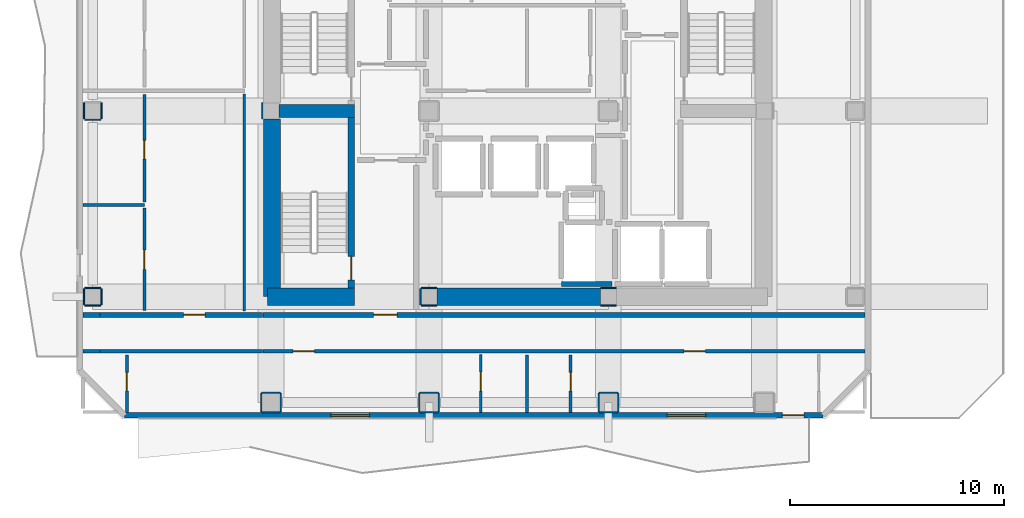
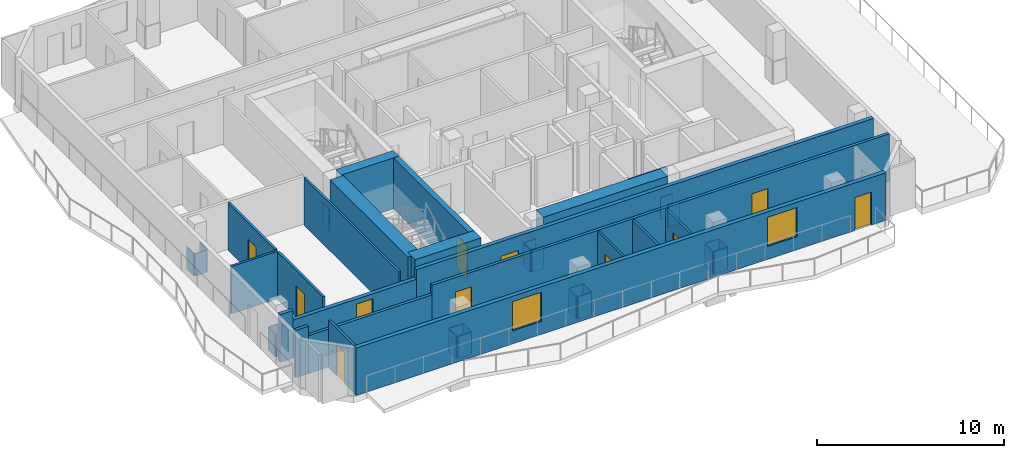
# One storey, part 2 of 10: 46 walls, 11 doors, 2 windows, 13 openings.
"""IFC4 building model written with IfcOpenShell, lengths in metres."""

import ifcopenshell
import ifcopenshell.guid

model = None  # the IFC model being written
_history = None  # IfcOwnerHistory: only IFC2X3 demands one
_inside = {}  # id of a spatial element -> (the spatial element, [elements in it])
_under = {}  # id of a project, library or spatial element -> (it, [spatial elements below it])
_declared = {}  # id of a project -> (the project, [libraries it declares])
_typed = {}  # id of a type object -> (the type object, [elements of that type])
_made_of = {}  # id of a material, layer set ... -> (it, [elements and type objects made of it])


def new_model(schema):
    """Start an empty IFC model of exactly this schema.

    Asked for "IFC4X3", IfcOpenShell would pick the latest addendum, in which some entities
    have other attributes; the version numbers below select the first issue.
    IFC2X3 requires an IfcOwnerHistory on every rooted entity: one is made here for all.
    """
    global model, _history
    if schema == "IFC4X3":
        model = ifcopenshell.file(schema_version=(4, 3, 0, 0))
    else:
        model = ifcopenshell.file(schema=schema)
    _inside.clear()
    _under.clear()
    _declared.clear()
    _typed.clear()
    _made_of.clear()
    _history = None
    if model.schema == "IFC2X3":
        org = make("IfcOrganization", Name="unknown")
        user = make(
            "IfcPersonAndOrganization",
            ThePerson=make("IfcPerson", FamilyName="unknown"),
            TheOrganization=org,
        )
        app = make(
            "IfcApplication",
            ApplicationDeveloper=org,
            Version="unknown",
            ApplicationFullName="unknown",
            ApplicationIdentifier="unknown",
        )
        _history = make(
            "IfcOwnerHistory",
            OwningUser=user,
            OwningApplication=app,
            ChangeAction="ADDED",
            CreationDate=0,
        )
    return model


def make(cls, **values):
    """One entity of the class cls with the attributes given. An attribute that is None is left unset."""
    return model.create_entity(
        cls, **{name: value for name, value in values.items() if value is not None}
    )


def rooted(cls, **values):
    """An entity with a GlobalId (a new one), such as an element, a storey or a relation."""
    return make(cls, GlobalId=ifcopenshell.guid.new(), OwnerHistory=_history, **values)


def si_unit(unit_type, name, prefix=None):
    """IfcSIUnit, for example si_unit("LENGTHUNIT", "METRE", prefix="MILLI")."""
    return make("IfcSIUnit", UnitType=unit_type, Prefix=prefix, Name=name)


def assignment(units):
    """IfcUnitAssignment: the units of a project."""
    return None if units is None else make("IfcUnitAssignment", Units=units)


def point(xyz):
    """IfcCartesianPoint."""
    return None if xyz is None else make("IfcCartesianPoint", Coordinates=xyz)


def direction(xyz):
    """IfcDirection."""
    return None if xyz is None else make("IfcDirection", DirectionRatios=xyz)


def frame(location, z_axis=None, x_axis=None):
    """IfcAxis2Placement3D, a coordinate frame: its origin and axes. An axis left out is left unset."""
    return make(
        "IfcAxis2Placement3D",
        Location=point(location),
        Axis=direction(z_axis),
        RefDirection=direction(x_axis),
    )


def frame_2d(location, x_axis=None):
    """IfcAxis2Placement2D, a coordinate frame in the plane: its origin and x axis."""
    return make(
        "IfcAxis2Placement2D", Location=point(location), RefDirection=direction(x_axis)
    )


def origin():
    """The frame at (0, 0, 0) with its axes left unset."""
    return frame((0.0, 0.0, 0.0))


def place(relative_to, where):
    """IfcLocalPlacement: puts the frame where relative to a parent placement (None: the world)."""
    return make(
        "IfcLocalPlacement", PlacementRelTo=relative_to, RelativePlacement=where
    )


def context(
    kind, dimensions, precision=None, world=None, true_north=None, identifier=None
):
    """IfcGeometricRepresentationContext, for example the 3D "Model" context."""
    return make(
        "IfcGeometricRepresentationContext",
        ContextIdentifier=identifier,
        ContextType=kind,
        CoordinateSpaceDimension=dimensions,
        Precision=precision,
        WorldCoordinateSystem=world,
        TrueNorth=true_north,
    )


def subcontext(parent, identifier, kind, view, scale=None):
    """IfcGeometricRepresentationSubContext, for example "Body" below "Model"."""
    return make(
        "IfcGeometricRepresentationSubContext",
        ContextIdentifier=identifier,
        ContextType=kind,
        ParentContext=parent,
        TargetScale=scale,
        TargetView=view,
    )


def project(units=None, contexts=None):
    """IfcProject with its units and contexts."""
    return rooted(
        "IfcProject",
        Name="project",
        RepresentationContexts=contexts,
        UnitsInContext=assignment(units),
    )


def spatial(cls, under=None, at=None, **own):
    """A site, building, storey or space (cls), placed at a placement, below another one or the project."""
    s = rooted(cls, ObjectPlacement=at, **own)
    if under is not None:
        _under.setdefault(under.id(), (under, []))[1].append(s)
    return s


def profile(cls, at=None, kind="AREA", **sizes):
    """A parametric profile (cls). Its sizes go by their IFC names, for example OverallWidth=200.0."""
    return make(cls, ProfileType=kind, Position=at, **sizes)


def rectangle(**sizes):
    """IfcRectangleProfileDef."""
    return profile("IfcRectangleProfileDef", **sizes)


def extrude(swept, where, along, depth):
    """IfcExtrudedAreaSolid: the profile swept, set in the frame where, extruded along a direction by depth."""
    return make(
        "IfcExtrudedAreaSolid",
        SweptArea=swept,
        Position=where,
        ExtrudedDirection=direction(along),
        Depth=depth,
    )


def shape(context_of_items, identifier, shape_type, items):
    """IfcShapeRepresentation: the items that make up one representation, for example the "Body"."""
    return make(
        "IfcShapeRepresentation",
        ContextOfItems=context_of_items,
        RepresentationIdentifier=identifier,
        RepresentationType=shape_type,
        Items=items,
    )


def material(Name=None, Category=None):
    """IfcMaterial."""
    return make("IfcMaterial", Name=Name, Category=Category)


def layer(
    of_material, thickness, ventilated=None, Name=None, Category=None, Priority=None
):
    """IfcMaterialLayer: one layer of a wall or slab, of a material (None: an air gap)."""
    return make(
        "IfcMaterialLayer",
        Material=of_material,
        LayerThickness=thickness,
        IsVentilated=ventilated,
        Name=Name,
        Category=Category,
        Priority=Priority,
    )


def layer_set(layers, Name=None):
    """IfcMaterialLayerSet."""
    return make("IfcMaterialLayerSet", MaterialLayers=layers, LayerSetName=Name)


def made_of(thing, what):
    """Note that an element or type object is made of a material, layer set ...; save() writes the relation."""
    if what is not None:
        _made_of.setdefault(what.id(), (what, []))[1].append(thing)
    return thing


def type_object(cls, material=None, **own):
    """A type object (cls), such as IfcWallType, which elements share."""
    return made_of(rooted(cls, **own), material)


def element(
    cls,
    number,
    at=None,
    inside=None,
    cuts=None,
    type_object=None,
    material=None,
    context=None,
    identifier="Body",
    shape_type=None,
    held_by="IfcProductDefinitionShape",
    body=None,
    shapes=None,
    **own,
):
    """One element of the class cls, such as IfcWall. Its Tag is "e" and its number.

    at: its placement. inside: the storey or other place that contains it. cuts: it is an
    opening in that element (IfcRelVoidsElement). A single representation is given by context,
    identifier, shape_type and body (its items); several are given by shapes. held_by: the class
    of the entity that holds the representations. save() writes the other relations.
    """
    e = rooted(cls, Tag="e%d" % number, ObjectPlacement=at, **own)
    if body is not None:
        shapes = [shape(context, identifier, shape_type, body)]
    if shapes is not None:
        e.Representation = make(held_by, Representations=shapes)
    if inside is not None:
        _inside.setdefault(inside.id(), (inside, []))[1].append(e)
    if cuts is not None:
        rooted(
            "IfcRelVoidsElement", RelatingBuildingElement=cuts, RelatedOpeningElement=e
        )
    if type_object is not None:
        _typed.setdefault(type_object.id(), (type_object, []))[1].append(e)
    return made_of(e, material)


def fill(opening, filler):
    """IfcRelFillsElement: the door or window that sits in an opening."""
    return rooted(
        "IfcRelFillsElement",
        RelatingOpeningElement=opening,
        RelatedBuildingElement=filler,
    )


def aggregate(whole, parts):
    """IfcRelAggregates: a whole, such as a stair, and the parts it consists of."""
    return rooted("IfcRelAggregates", RelatingObject=whole, RelatedObjects=parts)


def save(model, path):
    """Write the relations noted so far, then the file.

    IfcRelAggregates (storeys below a building ...), IfcRelContainedInSpatialStructure (elements
    in a storey), IfcRelDefinesByType, IfcRelAssociatesMaterial and IfcRelDeclares: one each for
    every whole, place, type object, material and project.
    """
    for whole, parts in _under.values():
        aggregate(whole, parts)
    for where, things in _inside.values():
        rooted(
            "IfcRelContainedInSpatialStructure",
            RelatedElements=things,
            RelatingStructure=where,
        )
    for kind, things in _typed.values():
        rooted("IfcRelDefinesByType", RelatedObjects=things, RelatingType=kind)
    for what, things in _made_of.values():
        rooted("IfcRelAssociatesMaterial", RelatedObjects=things, RelatingMaterial=what)
    for by, libraries in _declared.values():
        rooted("IfcRelDeclares", RelatingContext=by, RelatedDefinitions=libraries)
    model.write(path)


model = new_model("IFC4")

# Units and contexts
model_context = context("Model", 3, precision=1e-05, world=origin(), true_north=direction((0.0, 1.0)))
body_context = subcontext(model_context, "Body", "Model", "MODEL_VIEW")
ifc_project = project(units=[si_unit("LENGTHUNIT", "METRE"), si_unit("AREAUNIT", "SQUARE_METRE"), si_unit("VOLUMEUNIT", "CUBIC_METRE"), si_unit("PLANEANGLEUNIT", "RADIAN"), si_unit("MASSUNIT", "GRAM", prefix="KILO")], contexts=[model_context])

# Site, building, storey
site_placement = place(None, origin())
site = spatial("IfcSite", under=ifc_project, at=site_placement, CompositionType="ELEMENT")
building_placement = place(site_placement, origin())
building = spatial("IfcBuilding", under=site, at=building_placement, Name="Solanera Arch Residences", CompositionType="ELEMENT")
storey_placement = place(building_placement, frame((0.0, 0.0, 251.199951171875)))
storey = spatial("IfcBuildingStorey", under=building, at=storey_placement, Name="L73", CompositionType="ELEMENT", Elevation=251.199951171875)

# Walls
ifc_material_1 = material(Name="Fire-Rated Gypsum Stud Partition", Category="gypsum")
ifc_layer_1 = layer(ifc_material_1, 0.06005859375)
ifc_layer_set_1 = layer_set([ifc_layer_1], Name="Fire-Rated Gypsum Stud Partition")
wall_type_1 = type_object("IfcWallType", Name="Column Acoustic Furring Wall 60", PredefinedType="PARTITIONING", material=ifc_layer_set_1)
for number, where, z_axis, x_axis, name in (
    (1, (20.425048828125, 21.593017578125, 0.0), (0.0, 0.0, 1.0), (1.0, 0.0, 0.0), "L73 Column Furring 1S"),
    (2, (20.425048828125, 22.406982421875, 0.0), (0.0, 0.0, 1.0), (1.0, 0.0, 0.0), "L73 Column Furring 1N"),
):
    element("IfcWall", number, at=place(storey_placement, frame(where, z_axis=z_axis, x_axis=x_axis)), inside=storey, type_object=wall_type_1, Name=name, PredefinedType="PARTITIONING", context=body_context, shape_type="SweptSolid", body=[
        extrude(rectangle(XDim=0.741943359375, YDim=0.06005859375, at=frame_2d((0.37109375, 0.0))), origin(), (0.0, 0.0, 1.0), 1.449951171875),
    ])
wall_1_placement = place(storey_placement, frame((20.39306640625, 21.625, 0.0), z_axis=(0.0, 0.0, 1.0), x_axis=(0.0, 1.0, 0.0)))
element("IfcWall", 3, at=wall_1_placement, inside=storey, type_object=wall_type_1, Name="L73 Column Furring 1W", PredefinedType="PARTITIONING", context=body_context, shape_type="SweptSolid", body=[
    extrude(rectangle(XDim=0.75, YDim=0.06005859375, at=frame_2d((0.375, 0.0))), origin(), (0.0, 0.0, 1.0), 1.449951171875),
])
for number, where, z_axis, x_axis, name in (
    (4, (28.8330078125, 21.593017578125, 0.0), (0.0, 0.0, 1.0), (1.0, 0.0, 0.0), "L73 Column Furring 2S"),
    (5, (28.8330078125, 22.406982421875, 0.0), (0.0, 0.0, 1.0), (1.0, 0.0, 0.0), "L73 Column Furring 2N"),
):
    element("IfcWall", number, at=place(storey_placement, frame(where, z_axis=z_axis, x_axis=x_axis)), inside=storey, type_object=wall_type_1, Name=name, PredefinedType="PARTITIONING", context=body_context, shape_type="SweptSolid", body=[
        extrude(rectangle(XDim=0.73388671875, YDim=0.06005859375, at=frame_2d((0.366943359375, 0.0))), origin(), (0.0, 0.0, 1.0), 1.449951171875),
    ])
wall_2_placement = place(storey_placement, frame((12.992919921875, 30.324951171875, 0.0), z_axis=(0.0, 0.0, 1.0), x_axis=(0.0, 1.0, 0.0)))
element("IfcWall", 6, at=wall_2_placement, inside=storey, type_object=wall_type_1, Name="L73 Column Furring 5W", PredefinedType="PARTITIONING", context=body_context, shape_type="SweptSolid", body=[
    extrude(rectangle(XDim=0.75, YDim=0.06005859375, at=frame_2d((0.375, 0.0))), origin(), (0.0, 0.0, 1.0), 1.449951171875),
])
for number, where, z_axis, x_axis, name in (
    (7, (12.97509765625, 16.593017578125, 0.0), (0.0, 0.0, 1.0), (1.0, 0.0, 0.0), "L73 Column Furring 9S"),
    (8, (12.97509765625, 17.507080078125, 0.0), (0.0, 0.0, 1.0), (1.0, 0.0, 0.0), "L73 Column Furring 9N"),
):
    element("IfcWall", number, at=place(storey_placement, frame(where, z_axis=z_axis, x_axis=x_axis)), inside=storey, type_object=wall_type_1, Name=name, PredefinedType="PARTITIONING", context=body_context, shape_type="SweptSolid", body=[
        extrude(rectangle(XDim=0.849853515625, YDim=0.06005859375, at=frame_2d((0.4248046875, 0.0))), origin(), (0.0, 0.0, 1.0), 1.449951171875),
    ])
for number, where, z_axis, x_axis, name in (
    (9, (12.943115234375, 16.625, 0.0), (0.0, 0.0, 1.0), (0.0, 1.0, 0.0), "L73 Column Furring 9W"),
    (10, (13.85693359375, 16.625, 0.0), (0.0, 0.0, 1.0), (0.0, 1.0, 0.0), "L73 Column Furring 9E"),
    (11, (20.375, 16.593017578125, 0.0), (0.0, 0.0, 1.0), (1.0, 0.0, 0.0), "L73 Column Furring 11S"),
    (12, (20.375, 17.507080078125, 0.0), (0.0, 0.0, 1.0), (1.0, 0.0, 0.0), "L73 Column Furring 11N"),
    (13, (20.343017578125, 16.625, 0.0), (0.0, 0.0, 1.0), (0.0, 1.0, 0.0), "L73 Column Furring 11W"),
    (14, (21.257080078125, 16.625, 0.0), (0.0, 0.0, 1.0), (0.0, 1.0, 0.0), "L73 Column Furring 11E"),
    (15, (28.77490234375, 16.593017578125, 0.0), (0.0, 0.0, 1.0), (1.0, 0.0, 0.0), "L73 Column Furring 13S"),
    (16, (28.77490234375, 17.507080078125, 0.0), (0.0, 0.0, 1.0), (1.0, 0.0, 0.0), "L73 Column Furring 13N"),
    (17, (28.742919921875, 16.625, 0.0), (0.0, 0.0, 1.0), (0.0, 1.0, 0.0), "L73 Column Furring 13W"),
    (18, (29.656982421875, 16.625, 0.0), (0.0, 0.0, 1.0), (0.0, 1.0, 0.0), "L73 Column Furring 13E"),
):
    element("IfcWall", number, at=place(storey_placement, frame(where, z_axis=z_axis, x_axis=x_axis)), inside=storey, type_object=wall_type_1, Name=name, PredefinedType="PARTITIONING", context=body_context, shape_type="SweptSolid", body=[
        extrude(rectangle(XDim=0.85009765625, YDim=0.06005859375, at=frame_2d((0.425048828125, 0.0))), origin(), (0.0, 0.0, 1.0), 1.449951171875),
    ])
for number, where, z_axis, x_axis, name in (
    (19, (4.675048828125, 21.593017578125, 0.0), (0.0, 0.0, 1.0), (1.0, 0.0, 0.0), "L73 Column Furring 17S"),
    (20, (4.675048828125, 22.406982421875, 0.0), (0.0, 0.0, 1.0), (1.0, 0.0, 0.0), "L73 Column Furring 17N"),
    (21, (4.64306640625, 21.625, 0.0), (0.0, 0.0, 1.0), (0.0, 1.0, 0.0), "L73 Column Furring 17W"),
    (22, (5.45703125, 21.625, 0.0), (0.0, 0.0, 1.0), (0.0, 1.0, 0.0), "L73 Column Furring 17E"),
    (23, (4.675048828125, 30.29296875, 0.0), (0.0, 0.0, 1.0), (1.0, 0.0, 0.0), "L73 Column Furring 19S"),
    (24, (4.64306640625, 30.324951171875, 0.0), (0.0, 0.0, 1.0), (0.0, 1.0, 0.0), "L73 Column Furring 19W"),
    (25, (5.45703125, 30.324951171875, 0.0), (0.0, 0.0, 1.0), (0.0, 1.0, 0.0), "L73 Column Furring 19E"),
):
    element("IfcWall", number, at=place(storey_placement, frame(where, z_axis=z_axis, x_axis=x_axis)), inside=storey, type_object=wall_type_1, Name=name, PredefinedType="PARTITIONING", context=body_context, shape_type="SweptSolid", body=[
        extrude(rectangle(XDim=0.75, YDim=0.06005859375, at=frame_2d((0.375, 0.0))), origin(), (0.0, 0.0, 1.0), 1.449951171875),
    ])

# Wall, opening, door
ifc_material_2 = material(Name="Concrete C40/50 (f'c = 45 MPa)", Category="concrete")
ifc_layer_2 = layer(ifc_material_2, 0.320068359375)
ifc_layer_set_2 = layer_set([ifc_layer_2], Name="Concrete C40/50 (f'c = 45 MPa)")
wall_type_2 = type_object("IfcWallType", Name="Core Shear Wall CW-320", PredefinedType="SHEAR", material=ifc_layer_set_2)
wall_3_placement = place(storey_placement, frame((17.159912109375, 22.39990234375, 0.0), z_axis=(0.0, 0.0, 1.0), x_axis=(0.0, 1.0, 0.0)))
wall_3 = element("IfcWall", 26, at=wall_3_placement, inside=storey, type_object=wall_type_2, Name="L73 Stair ST-T3 East Shear Wall", PredefinedType="SHEAR", context=body_context, shape_type="SweptSolid", body=[
    extrude(rectangle(XDim=8.0, YDim=0.320068359375, at=frame_2d((4.0, 0.0))), origin(), (0.0, 0.0, 1.0), 3.320068359375),
])
opening_1_placement = place(wall_3_placement, frame((0.389892578125, 0.0, 0.0)))
opening_1 = element("IfcOpeningElement", 27, at=opening_1_placement, cuts=wall_3, Name="Opening DF-01", PredefinedType="OPENING", context=body_context, shape_type="SweptSolid", body=[
    extrude(rectangle(XDim=1.10009765625, YDim=2.14990234375, at=frame_2d((0.550048828125, 1.074951171875))), frame((0.0, 0.169921875, 0.0), z_axis=(0.0, -1.0, 0.0), x_axis=(1.0, 0.0, 0.0)), (0.0, 0.0, 1.0), 0.3401),
])
ifc_material_3 = material(Name="Fire-Rated Architectural Hardwood", Category="wood")
door_type_1 = type_object("IfcDoorType", Name="Stair Exit Fire Door DF-01", OperationType="NOTDEFINED", PredefinedType="DOOR", material=ifc_material_3)
door_1_placement = place(opening_1_placement, origin())
door_1 = element("IfcDoor", 28, at=door_1_placement, inside=storey, type_object=door_type_1, Name="DR-L73-STAIR-ST-T3", OperationType="SINGLE_SWING_LEFT", OverallHeight=2.14990234375, OverallWidth=1.10009765625, PredefinedType="DOOR", context=body_context, shape_type="SweptSolid", body=[
    extrude(rectangle(XDim=1.10009765625, YDim=2.14990234375, at=frame_2d((0.550048828125, 1.074951171875))), frame((0.0, 0.02490234375, 0.0), z_axis=(0.0, -1.0, 0.0), x_axis=(1.0, 0.0, 0.0)), (0.0, 0.0, 1.0), 0.050048828125),
])
fill(opening_1, door_1)

# Walls
ifc_material_4 = material(Name="Concrete C40/50 (f'c = 45 MPa)", Category="concrete")
ifc_layer_3 = layer(ifc_material_4, 0.60009765625)
ifc_layer_set_3 = layer_set([ifc_layer_3], Name="Concrete C40/50 (f'c = 45 MPa)")
wall_type_3 = type_object("IfcWallType", Name="Core Shear Wall CW-600", PredefinedType="SHEAR", material=ifc_layer_set_3)
wall_4_placement = place(storey_placement, frame((13.780029296875, 30.699951171875, 0.0), z_axis=(0.0, 0.0, 1.0), x_axis=(1.0, 0.0, 0.0)))
element("IfcWall", 29, at=wall_4_placement, inside=storey, type_object=wall_type_3, Name="L73 West Stair Divider Shear Wall", PredefinedType="SHEAR", context=body_context, shape_type="SweptSolid", body=[
    extrude(rectangle(XDim=3.5400390625, YDim=0.60009765625, at=frame_2d((1.77001953125, 0.0))), origin(), (0.0, 0.0, 1.0), 3.320068359375),
])
ifc_material_5 = material(Name="Concrete C40/50 (f'c = 45 MPa)", Category="concrete")
ifc_layer_4 = layer(ifc_material_5, 0.800048828125)
ifc_layer_set_4 = layer_set([ifc_layer_4], Name="Concrete C40/50 (f'c = 45 MPa)")
wall_type_4 = type_object("IfcWallType", Name="Core Shear Wall CW-800", PredefinedType="SHEAR", material=ifc_layer_set_4)
wall_5_placement = place(storey_placement, frame((13.43994140625, 22.0, 0.0), z_axis=(0.0, 0.0, 1.0), x_axis=(0.0, 1.0, 0.0)))
element("IfcWall", 30, at=wall_5_placement, inside=storey, type_object=wall_type_4, Name="L73 West Core South Shear Wall", PredefinedType="SHEAR", context=body_context, shape_type="SweptSolid", body=[
    extrude(rectangle(XDim=8.320068359375, YDim=0.800048828125, at=frame_2d((4.16015625, 0.0))), origin(), (0.0, 0.0, 1.0), 3.320068359375),
])
wall_6_placement = place(storey_placement, frame((13.239990234375, 22.0, 0.0), z_axis=(0.0, 0.0, 1.0), x_axis=(1.0, 0.0, 0.0)))
element("IfcWall", 31, at=wall_6_placement, inside=storey, type_object=wall_type_4, Name="L73 South-West Core Shear Wall", PredefinedType="SHEAR", context=body_context, shape_type="SweptSolid", body=[
    extrude(rectangle(XDim=4.080078125, YDim=0.800048828125, at=frame_2d((2.0400390625, 0.0))), origin(), (0.0, 0.0, 1.0), 3.320068359375),
])
wall_7_placement = place(storey_placement, frame((21.179931640625, 22.0, 0.0), z_axis=(0.0, 0.0, 1.0), x_axis=(1.0, 0.0, 0.0)))
element("IfcWall", 32, at=wall_7_placement, inside=storey, type_object=wall_type_4, Name="L73 Central South Core Shear Wall", PredefinedType="SHEAR", context=body_context, shape_type="SweptSolid", body=[
    extrude(rectangle(XDim=7.64013671875, YDim=0.800048828125, at=frame_2d((3.820068359375, 0.0))), origin(), (0.0, 0.0, 1.0), 3.320068359375),
])
ifc_material_6 = material(Name="Autoclaved Aerated Concrete Blockwork", Category="masonry")
ifc_layer_5 = layer(ifc_material_6, 0.179931640625)
ifc_layer_set_5 = layer_set([ifc_layer_5], Name="Autoclaved Aerated Concrete Blockwork")
wall_type_5 = type_object("IfcWallType", Name="Corridor Fire Partition 180", PredefinedType="PARTITIONING", material=ifc_layer_set_5)
wall_8_placement = place(storey_placement, frame((4.5869140625, 19.449951171875, 0.0), z_axis=(0.0, 0.0, 1.0), x_axis=(1.0, 0.0, 0.0)))
element("IfcWall", 33, at=wall_8_placement, inside=storey, type_object=wall_type_5, Name="L73 Interior Partition H6 1", PredefinedType="PARTITIONING", context=body_context, shape_type="SweptSolid", body=[
    extrude(rectangle(XDim=0.801025390625, YDim=0.179931640625, at=frame_2d((0.400390625, 0.0))), origin(), (0.0, 0.0, 1.0), 3.10009765625),
])
wall_9_placement = place(storey_placement, frame((5.387939453125, 19.449951171875, 0.0), z_axis=(0.0, 0.0, 1.0), x_axis=(1.0, 0.0, 0.0)))
element("IfcWall", 34, at=wall_9_placement, inside=storey, type_object=wall_type_5, Name="L73 Interior Partition H6 2", PredefinedType="PARTITIONING", context=body_context, shape_type="SweptSolid", body=[
    extrude(rectangle(XDim=7.6240234375, YDim=0.179931640625, at=frame_2d((3.81201171875, 0.0))), origin(), (0.0, 0.0, 1.0), 2.47705078125),
])

# Wall, openings, doors
wall_10_placement = place(storey_placement, frame((13.011962890625, 19.449951171875, 0.0), z_axis=(0.0, 0.0, 1.0), x_axis=(1.0, 0.0, 0.0)))
wall_10 = element("IfcWall", 35, at=wall_10_placement, inside=storey, type_object=wall_type_5, Name="L73 Interior Partition H6 3", PredefinedType="PARTITIONING", context=body_context, shape_type="SweptSolid", body=[
    extrude(rectangle(XDim=28.200927734375, YDim=0.179931640625, at=frame_2d((14.1005859375, 0.0))), origin(), (0.0, 0.0, 1.0), 3.10009765625),
])
opening_2_placement = place(wall_10_placement, frame((1.427001953125, 0.0, 0.0)))
opening_2 = element("IfcOpeningElement", 36, at=opening_2_placement, cuts=wall_10, Name="Opening DI-01", PredefinedType="OPENING", context=body_context, shape_type="SweptSolid", body=[
    extrude(rectangle(XDim=1.0, YDim=2.14990234375, at=frame_2d((0.5, 1.074951171875))), frame((0.0, 0.10009765625, 0.0), z_axis=(0.0, -1.0, 0.0), x_axis=(1.0, 0.0, 0.0)), (0.0, 0.0, 1.0), 0.1999),
])
opening_3_placement = place(wall_10_placement, frame((19.72705078125, 0.0, 0.0)))
opening_3 = element("IfcOpeningElement", 37, at=opening_3_placement, cuts=wall_10, Name="Opening DI-01", PredefinedType="OPENING", context=body_context, shape_type="SweptSolid", body=[
    extrude(rectangle(XDim=1.0, YDim=2.14990234375, at=frame_2d((0.5, 1.074951171875))), frame((0.0, 0.10009765625, 0.0), z_axis=(0.0, -1.0, 0.0), x_axis=(1.0, 0.0, 0.0)), (0.0, 0.0, 1.0), 0.1999),
])
ifc_material_7 = material(Name="Fire-Rated Architectural Hardwood", Category="wood")
door_type_2 = type_object("IfcDoorType", Name="Unit Entrance Fire Door DI-01", OperationType="NOTDEFINED", PredefinedType="DOOR", material=ifc_material_7)
door_2_placement = place(opening_2_placement, origin())
door_2 = element("IfcDoor", 38, at=door_2_placement, inside=storey, type_object=door_type_2, Name="DR-L73-IN-014", OperationType="SINGLE_SWING_RIGHT", OverallHeight=2.14990234375, OverallWidth=1.0, PredefinedType="DOOR", context=body_context, shape_type="SweptSolid", body=[
    extrude(rectangle(XDim=1.0, YDim=2.14990234375, at=frame_2d((0.5, 1.074951171875))), frame((0.0, 0.02490234375, 0.0), z_axis=(0.0, -1.0, 0.0), x_axis=(1.0, 0.0, 0.0)), (0.0, 0.0, 1.0), 0.050048828125),
])
fill(opening_2, door_2)
door_3_placement = place(opening_3_placement, origin())
door_3 = element("IfcDoor", 39, at=door_3_placement, inside=storey, type_object=door_type_2, Name="DR-L73-IN-017", OperationType="SINGLE_SWING_LEFT", OverallHeight=2.14990234375, OverallWidth=1.0, PredefinedType="DOOR", context=body_context, shape_type="SweptSolid", body=[
    extrude(rectangle(XDim=1.0, YDim=2.14990234375, at=frame_2d((0.5, 1.074951171875))), frame((0.0, 0.02490234375, 0.0), z_axis=(0.0, -1.0, 0.0), x_axis=(1.0, 0.0, 0.0)), (0.0, 0.0, 1.0), 0.050048828125),
])
fill(opening_3, door_3)

# Wall, openings, door, windows
ifc_material_8 = material(Name="Precast Concrete C35/45", Category="concrete")
ifc_layer_6 = layer(ifc_material_8, 0.260009765625)
ifc_layer_set_6 = layer_set([ifc_layer_6], Name="Precast Concrete C35/45")
wall_type_6 = type_object("IfcWallType", Name="Exterior Wall Precast Masonry-Frame 260", PredefinedType="STANDARD", material=ifc_layer_set_6)
wall_11_placement = place(storey_placement, frame((39.2548828125, 16.445068359375, 0.0), z_axis=(0.0, 0.0, 1.0), x_axis=(-1.0, 0.0, 0.0)))
wall_11 = element("IfcWall", 40, at=wall_11_placement, inside=storey, type_object=wall_type_6, Name="L73 Tower Exterior Precast Masonry-Frame Wall S", PredefinedType="STANDARD", context=body_context, shape_type="SweptSolid", body=[
    extrude(rectangle(XDim=32.7099609375, YDim=0.260009765625, at=frame_2d((16.35498046875, 0.0))), origin(), (0.0, 0.0, 1.0), 3.10009765625),
])
opening_4_placement = place(wall_11_placement, frame((0.906982421875, 0.0, 0.0)))
opening_4 = element("IfcOpeningElement", 41, at=opening_4_placement, cuts=wall_11, Name="Opening DB-01", PredefinedType="OPENING", context=body_context, shape_type="SweptSolid", body=[
    extrude(rectangle(XDim=1.0, YDim=2.14990234375, at=frame_2d((0.5, 1.074951171875))), frame((0.0, 0.139892578125, 0.0), z_axis=(0.0, -1.0, 0.0), x_axis=(1.0, 0.0, 0.0)), (0.0, 0.0, 1.0), 0.28),
])
opening_5_placement = place(wall_11_placement, frame((21.2548828125, 0.0, 0.85009765625)))
opening_5 = element("IfcOpeningElement", 42, at=opening_5_placement, cuts=wall_11, Name="Opening W-03", PredefinedType="OPENING", context=body_context, shape_type="SweptSolid", body=[
    extrude(rectangle(XDim=1.800048828125, YDim=1.89990234375, at=frame_2d((0.89990234375, 0.949951171875))), frame((0.0, 0.139892578125, 0.0), z_axis=(0.0, -1.0, 0.0), x_axis=(1.0, 0.0, 0.0)), (0.0, 0.0, 1.0), 0.28),
])
opening_6_placement = place(wall_11_placement, frame((5.5048828125, 0.0, 0.85009765625)))
opening_6 = element("IfcOpeningElement", 43, at=opening_6_placement, cuts=wall_11, Name="Opening W-03", PredefinedType="OPENING", context=body_context, shape_type="SweptSolid", body=[
    extrude(rectangle(XDim=1.800048828125, YDim=1.89990234375, at=frame_2d((0.89990234375, 0.949951171875))), frame((0.0, 0.139892578125, 0.0), z_axis=(0.0, -1.0, 0.0), x_axis=(1.0, 0.0, 0.0)), (0.0, 0.0, 1.0), 0.28),
])
ifc_material_9 = material(Name="Anodised Aluminium Alloy 6063-T6", Category="aluminium")
door_type_3 = type_object("IfcDoorType", Name="Glazed Balcony Swing Door DB-01", OperationType="NOTDEFINED", PredefinedType="DOOR", material=ifc_material_9)
door_4_placement = place(opening_4_placement, origin())
door_4 = element("IfcDoor", 44, at=door_4_placement, inside=storey, type_object=door_type_3, Name="DR-L73-OUT-02", OperationType="SINGLE_SWING_RIGHT", OverallHeight=2.14990234375, OverallWidth=1.0, PredefinedType="DOOR", context=body_context, shape_type="SweptSolid", body=[
    extrude(rectangle(XDim=1.0, YDim=2.14990234375, at=frame_2d((0.5, 1.074951171875))), frame((0.0, 0.02490234375, 0.0), z_axis=(0.0, -1.0, 0.0), x_axis=(1.0, 0.0, 0.0)), (0.0, 0.0, 1.0), 0.050048828125),
])
fill(opening_4, door_4)
ifc_material_10 = material(Name="Double Glazed Low-E Laminated Glass", Category="glass")
window_type = type_object("IfcWindowType", Name="Punched Window W-03", PartitioningType="DOUBLE_PANEL_VERTICAL", PredefinedType="WINDOW", material=ifc_material_10)
window_1_placement = place(opening_5_placement, origin())
window_1 = element("IfcWindow", 45, at=window_1_placement, inside=storey, type_object=window_type, Name="L73 7301-LIV Punched Window", OverallHeight=1.89990234375, OverallWidth=1.800048828125, PartitioningType="SINGLE_PANEL", PredefinedType="WINDOW", context=body_context, shape_type="SweptSolid", body=[
    extrude(rectangle(XDim=1.800048828125, YDim=1.89990234375, at=frame_2d((0.89990234375, 0.949951171875))), frame((0.0, 0.030029296875, 0.0), z_axis=(0.0, -1.0, 0.0), x_axis=(1.0, 0.0, 0.0)), (0.0, 0.0, 1.0), 0.06005859375),
])
fill(opening_5, window_1)
window_2_placement = place(opening_6_placement, origin())
window_2 = element("IfcWindow", 46, at=window_2_placement, inside=storey, type_object=window_type, Name="L73 7302-LIV Punched Window", OverallHeight=1.89990234375, OverallWidth=1.800048828125, PartitioningType="SINGLE_PANEL", PredefinedType="WINDOW", context=body_context, shape_type="SweptSolid", body=[
    extrude(rectangle(XDim=1.800048828125, YDim=1.89990234375, at=frame_2d((0.89990234375, 0.949951171875))), frame((0.0, 0.030029296875, 0.0), z_axis=(0.0, -1.0, 0.0), x_axis=(1.0, 0.0, 0.0)), (0.0, 0.0, 1.0), 0.06005859375),
])
fill(opening_6, window_2)

# Walls
ifc_material_11 = material(Name="Autoclaved Aerated Concrete Blockwork", Category="masonry")
ifc_layer_7 = layer(ifc_material_11, 0.239990234375)
ifc_layer_set_7 = layer_set([ifc_layer_7], Name="Autoclaved Aerated Concrete Blockwork")
wall_type_7 = type_object("IfcWallType", Name="Shaft Wall Fire-Rated 240", PredefinedType="PARTITIONING", material=ifc_layer_set_7)
wall_12_placement = place(storey_placement, frame((27.0, 22.60009765625, 0.0), z_axis=(0.0, 0.0, 1.0), x_axis=(1.0, 0.0, 0.0)))
element("IfcWall", 47, at=wall_12_placement, inside=storey, type_object=wall_type_7, Name="L73 Lift SVL-1 Hoistway Wall S", PredefinedType="PARTITIONING", context=body_context, shape_type="SweptSolid", body=[
    extrude(rectangle(XDim=2.3720703125, YDim=0.239990234375, at=frame_2d((1.18603515625, 0.0))), origin(), (0.0, 0.0, 1.0), 3.10009765625),
])
wall_13_placement = place(storey_placement, frame((4.5869140625, 21.14990234375, 0.0), z_axis=(0.0, 0.0, 1.0), x_axis=(1.0, 0.0, 0.0)))
element("IfcWall", 48, at=wall_13_placement, inside=storey, type_object=wall_type_7, Name="L73 Interior Partition H1 1", PredefinedType="PARTITIONING", context=body_context, shape_type="SweptSolid", body=[
    extrude(rectangle(XDim=0.801025390625, YDim=0.239990234375, at=frame_2d((0.400390625, 0.0))), origin(), (0.0, 0.0, 1.0), 3.10009765625),
])

# Wall, opening, door
wall_14_placement = place(storey_placement, frame((5.387939453125, 21.14990234375, 0.0), z_axis=(0.0, 0.0, 1.0), x_axis=(1.0, 0.0, 0.0)))
wall_14 = element("IfcWall", 49, at=wall_14_placement, inside=storey, type_object=wall_type_7, Name="L73 Interior Partition H1 2", PredefinedType="PARTITIONING", context=body_context, shape_type="SweptSolid", body=[
    extrude(rectangle(XDim=7.6240234375, YDim=0.239990234375, at=frame_2d((3.81201171875, 0.0))), origin(), (0.0, 0.0, 1.0), 2.47705078125),
])
opening_7_placement = place(wall_14_placement, frame((3.9208984375, 0.0, 0.0)))
opening_7 = element("IfcOpeningElement", 50, at=opening_7_placement, cuts=wall_14, Name="Opening DI-01", PredefinedType="OPENING", context=body_context, shape_type="SweptSolid", body=[
    extrude(rectangle(XDim=1.0, YDim=2.14990234375, at=frame_2d((0.5, 1.074951171875))), frame((0.0, 0.1298828125, 0.0), z_axis=(0.0, -1.0, 0.0), x_axis=(1.0, 0.0, 0.0)), (0.0, 0.0, 1.0), 0.26),
])
door_5_placement = place(opening_7_placement, origin())
door_5 = element("IfcDoor", 51, at=door_5_placement, inside=storey, type_object=door_type_2, Name="DR-L73-IN-028", OperationType="SINGLE_SWING_RIGHT", OverallHeight=2.14990234375, OverallWidth=1.0, PredefinedType="DOOR", context=body_context, shape_type="SweptSolid", body=[
    extrude(rectangle(XDim=1.0, YDim=2.14990234375, at=frame_2d((0.5, 1.074951171875))), frame((0.0, 0.02490234375, 0.0), z_axis=(0.0, -1.0, 0.0), x_axis=(1.0, 0.0, 0.0)), (0.0, 0.0, 1.0), 0.050048828125),
])
fill(opening_7, door_5)

wall_15_placement = place(storey_placement, frame((13.011962890625, 21.14990234375, 0.0), z_axis=(0.0, 0.0, 1.0), x_axis=(1.0, 0.0, 0.0)))
wall_15 = element("IfcWall", 52, at=wall_15_placement, inside=storey, type_object=wall_type_7, Name="L73 Interior Partition H1 3", PredefinedType="PARTITIONING", context=body_context, shape_type="SweptSolid", body=[
    extrude(rectangle(XDim=28.200927734375, YDim=0.239990234375, at=frame_2d((14.1005859375, 0.0))), origin(), (0.0, 0.0, 1.0), 3.10009765625),
])
opening_8_placement = place(wall_15_placement, frame((5.197998046875, 0.0, 0.0)))
opening_8 = element("IfcOpeningElement", 53, at=opening_8_placement, cuts=wall_15, Name="Opening DF-02", PredefinedType="OPENING", context=body_context, shape_type="SweptSolid", body=[
    extrude(rectangle(XDim=1.10009765625, YDim=2.14990234375, at=frame_2d((0.550048828125, 1.074951171875))), frame((0.0, 0.1298828125, 0.0), z_axis=(0.0, -1.0, 0.0), x_axis=(1.0, 0.0, 0.0)), (0.0, 0.0, 1.0), 0.26),
])
ifc_material_12 = material(Name="Fire-Rated Architectural Hardwood", Category="wood")
door_type_4 = type_object("IfcDoorType", Name="Firefighting Lobby Fire Door DF-02", OperationType="NOTDEFINED", PredefinedType="DOOR", material=ifc_material_12)
door_6_placement = place(opening_8_placement, origin())
door_6 = element("IfcDoor", 54, at=door_6_placement, inside=storey, type_object=door_type_4, Name="DR-L73-IN-008", OperationType="SINGLE_SWING_RIGHT", OverallHeight=2.14990234375, OverallWidth=1.10009765625, PredefinedType="DOOR", context=body_context, shape_type="SweptSolid", body=[
    extrude(rectangle(XDim=1.10009765625, YDim=2.14990234375, at=frame_2d((0.550048828125, 1.074951171875))), frame((0.0, 0.02490234375, 0.0), z_axis=(0.0, -1.0, 0.0), x_axis=(1.0, 0.0, 0.0)), (0.0, 0.0, 1.0), 0.050048828125),
])
fill(opening_8, door_6)

# Wall
ifc_material_13 = material(Name="Fire-Rated Gypsum Stud Partition", Category="gypsum")
ifc_layer_8 = layer(ifc_material_13, 0.1201171875)
ifc_layer_set_8 = layer_set([ifc_layer_8], Name="Fire-Rated Gypsum Stud Partition")
wall_type_8 = type_object("IfcWallType", Name="Unit Drywall Partition 120", PredefinedType="PARTITIONING", material=ifc_layer_set_8)
wall_16_placement = place(storey_placement, frame((12.14990234375, 21.337890625, 0.0), z_axis=(0.0, 0.0, 1.0), x_axis=(0.0, 1.0, 0.0)))
element("IfcWall", 55, at=wall_16_placement, inside=storey, type_object=wall_type_8, Name="L73 Interior Partition V18 1", PredefinedType="PARTITIONING", context=body_context, shape_type="SweptSolid", body=[
    extrude(rectangle(XDim=10.154052734375, YDim=0.1201171875, at=frame_2d((5.0771484375, 0.0))), origin(), (0.0, 0.0, 1.0), 3.10009765625),
])

# Wall, opening, door
wall_17_placement = place(storey_placement, frame((23.22802734375, 16.5869140625, 0.0), z_axis=(0.0, 0.0, 1.0), x_axis=(0.0, 1.0, 0.0)))
wall_17 = element("IfcWall", 56, at=wall_17_placement, inside=storey, type_object=wall_type_8, Name="L73 Interior Partition V22", PredefinedType="PARTITIONING", context=body_context, shape_type="SweptSolid", body=[
    extrude(rectangle(XDim=2.705078125, YDim=0.1201171875, at=frame_2d((1.3525390625, 0.0))), origin(), (0.0, 0.0, 1.0), 3.10009765625),
])
opening_9_placement = place(wall_17_placement, frame((0.988037109375, 0.0, 0.0)))
opening_9 = element("IfcOpeningElement", 57, at=opening_9_placement, cuts=wall_17, Name="Opening DI-02", PredefinedType="OPENING", context=body_context, shape_type="SweptSolid", body=[
    extrude(rectangle(XDim=0.89990234375, YDim=2.10009765625, at=frame_2d((0.449951171875, 1.050048828125))), frame((0.0, 0.070068359375, 0.0), z_axis=(0.0, -1.0, 0.0), x_axis=(1.0, 0.0, 0.0)), (0.0, 0.0, 1.0), 0.1401),
])
ifc_material_14 = material(Name="Fire-Rated Architectural Hardwood", Category="wood")
door_type_5 = type_object("IfcDoorType", Name="Suite Room Swing Door DI-02", OperationType="NOTDEFINED", PredefinedType="DOOR", material=ifc_material_14)
door_7_placement = place(opening_9_placement, origin())
door_7 = element("IfcDoor", 58, at=door_7_placement, inside=storey, type_object=door_type_5, Name="DR-L73-IN-016", OperationType="SINGLE_SWING_RIGHT", OverallHeight=2.10009765625, OverallWidth=0.89990234375, PredefinedType="DOOR", context=body_context, shape_type="SweptSolid", body=[
    extrude(rectangle(XDim=0.89990234375, YDim=2.10009765625, at=frame_2d((0.449951171875, 1.050048828125))), frame((0.0, 0.02490234375, 0.0), z_axis=(0.0, -1.0, 0.0), x_axis=(1.0, 0.0, 0.0)), (0.0, 0.0, 1.0), 0.050048828125),
])
fill(opening_9, door_7)

# Wall
ifc_material_15 = material(Name="Autoclaved Aerated Concrete Blockwork", Category="masonry")
ifc_layer_9 = layer(ifc_material_15, 0.139892578125)
ifc_layer_set_9 = layer_set([ifc_layer_9], Name="Autoclaved Aerated Concrete Blockwork")
wall_type_9 = type_object("IfcWallType", Name="Wet-Room Partition 140", PredefinedType="PARTITIONING", material=ifc_layer_set_9)
wall_18_placement = place(storey_placement, frame((4.5869140625, 26.300048828125, 0.0), z_axis=(0.0, 0.0, 1.0), x_axis=(1.0, 0.0, 0.0)))
element("IfcWall", 59, at=wall_18_placement, inside=storey, type_object=wall_type_9, Name="L73 Interior Partition H15", PredefinedType="PARTITIONING", context=body_context, shape_type="SweptSolid", body=[
    extrude(rectangle(XDim=2.882080078125, YDim=0.139892578125, at=frame_2d((1.44091796875, 0.0))), origin(), (0.0, 0.0, 1.0), 3.10009765625),
])

# Wall, opening, door
wall_19_placement = place(storey_placement, frame((6.64990234375, 16.5869140625, 0.0), z_axis=(0.0, 0.0, 1.0), x_axis=(0.0, 1.0, 0.0)))
wall_19 = element("IfcWall", 60, at=wall_19_placement, inside=storey, type_object=wall_type_9, Name="L73 Interior Partition V11", PredefinedType="PARTITIONING", context=body_context, shape_type="SweptSolid", body=[
    extrude(rectangle(XDim=2.695068359375, YDim=0.139892578125, at=frame_2d((1.34765625, 0.0))), origin(), (0.0, 0.0, 1.0), 3.10009765625),
])
opening_10_placement = place(wall_19_placement, frame((1.008056640625, 0.0, 0.0)))
opening_10 = element("IfcOpeningElement", 61, at=opening_10_placement, cuts=wall_19, Name="Opening DI-05", PredefinedType="OPENING", context=body_context, shape_type="SweptSolid", body=[
    extrude(rectangle(XDim=0.860107421875, YDim=2.02001953125, at=frame_2d((0.43017578125, 1.010009765625))), frame((0.0, 0.079833984375, 0.0), z_axis=(0.0, -1.0, 0.0), x_axis=(1.0, 0.0, 0.0)), (0.0, 0.0, 1.0), 0.1599),
])
ifc_material_16 = material(Name="Fire-Rated Architectural Hardwood", Category="wood")
door_type_6 = type_object("IfcDoorType", Name="Bathroom Swing Door DI-05", OperationType="NOTDEFINED", PredefinedType="DOOR", material=ifc_material_16)
door_8_placement = place(opening_10_placement, origin())
door_8 = element("IfcDoor", 62, at=door_8_placement, inside=storey, type_object=door_type_6, Name="DR-L73-IN-015", OperationType="SINGLE_SWING_LEFT", OverallHeight=2.02001953125, OverallWidth=0.860107421875, PredefinedType="DOOR", context=body_context, shape_type="SweptSolid", body=[
    extrude(rectangle(XDim=0.860107421875, YDim=2.02001953125, at=frame_2d((0.43017578125, 1.010009765625))), frame((0.0, 0.02490234375, 0.0), z_axis=(0.0, -1.0, 0.0), x_axis=(1.0, 0.0, 0.0)), (0.0, 0.0, 1.0), 0.050048828125),
])
fill(opening_10, door_8)

wall_20_placement = place(storey_placement, frame((7.468994140625, 21.347900390625, 0.0), z_axis=(0.0, 0.0, 1.0), x_axis=(0.0, 1.0, 0.0)))
wall_20 = element("IfcWall", 63, at=wall_20_placement, inside=storey, type_object=wall_type_9, Name="L73 Interior Partition V12 1", PredefinedType="PARTITIONING", context=body_context, shape_type="SweptSolid", body=[
    extrude(rectangle(XDim=4.80419921875, YDim=0.139892578125, at=frame_2d((2.402099609375, 0.0))), origin(), (0.0, 0.0, 1.0), 3.10009765625),
])
opening_11_placement = place(wall_20_placement, frame((1.93994140625, 0.0, 0.0)))
opening_11 = element("IfcOpeningElement", 64, at=opening_11_placement, cuts=wall_20, Name="Opening DI-02", PredefinedType="OPENING", context=body_context, shape_type="SweptSolid", body=[
    extrude(rectangle(XDim=0.89990234375, YDim=2.10009765625, at=frame_2d((0.449951171875, 1.050048828125))), frame((0.0, 0.079833984375, 0.0), z_axis=(0.0, -1.0, 0.0), x_axis=(1.0, 0.0, 0.0)), (0.0, 0.0, 1.0), 0.1599),
])
door_9_placement = place(opening_11_placement, origin())
door_9 = element("IfcDoor", 65, at=door_9_placement, inside=storey, type_object=door_type_5, Name="DR-L73-IN-029", OperationType="SINGLE_SWING_LEFT", OverallHeight=2.10009765625, OverallWidth=0.89990234375, PredefinedType="DOOR", context=body_context, shape_type="SweptSolid", body=[
    extrude(rectangle(XDim=0.89990234375, YDim=2.10009765625, at=frame_2d((0.449951171875, 1.050048828125))), frame((0.0, 0.02490234375, 0.0), z_axis=(0.0, -1.0, 0.0), x_axis=(1.0, 0.0, 0.0)), (0.0, 0.0, 1.0), 0.050048828125),
])
fill(opening_11, door_9)

wall_21_placement = place(storey_placement, frame((7.468994140625, 26.447998046875, 0.0), z_axis=(0.0, 0.0, 1.0), x_axis=(0.0, 1.0, 0.0)))
wall_21 = element("IfcWall", 66, at=wall_21_placement, inside=storey, type_object=wall_type_9, Name="L73 Interior Partition V12 2", PredefinedType="PARTITIONING", context=body_context, shape_type="SweptSolid", body=[
    extrude(rectangle(XDim=5.033935546875, YDim=0.139892578125, at=frame_2d((2.51708984375, 0.0))), origin(), (0.0, 0.0, 1.0), 3.10009765625),
])
opening_12_placement = place(wall_21_placement, frame((2.009033203125, 0.0, 0.0)))
opening_12 = element("IfcOpeningElement", 67, at=opening_12_placement, cuts=wall_21, Name="Opening DI-05", PredefinedType="OPENING", context=body_context, shape_type="SweptSolid", body=[
    extrude(rectangle(XDim=0.860107421875, YDim=2.02001953125, at=frame_2d((0.43017578125, 1.010009765625))), frame((0.0, 0.079833984375, 0.0), z_axis=(0.0, -1.0, 0.0), x_axis=(1.0, 0.0, 0.0)), (0.0, 0.0, 1.0), 0.1599),
])
door_10_placement = place(opening_12_placement, origin())
door_10 = element("IfcDoor", 68, at=door_10_placement, inside=storey, type_object=door_type_6, Name="DR-L73-IN-030", OperationType="SINGLE_SWING_RIGHT", OverallHeight=2.02001953125, OverallWidth=0.860107421875, PredefinedType="DOOR", context=body_context, shape_type="SweptSolid", body=[
    extrude(rectangle(XDim=0.860107421875, YDim=2.02001953125, at=frame_2d((0.43017578125, 1.010009765625))), frame((0.0, 0.02490234375, 0.0), z_axis=(0.0, -1.0, 0.0), x_axis=(1.0, 0.0, 0.0)), (0.0, 0.0, 1.0), 0.050048828125),
])
fill(opening_12, door_10)

# Wall
wall_22_placement = place(storey_placement, frame((25.3779296875, 16.5869140625, 0.0), z_axis=(0.0, 0.0, 1.0), x_axis=(0.0, 1.0, 0.0)))
element("IfcWall", 69, at=wall_22_placement, inside=storey, type_object=wall_type_9, Name="L73 Interior Partition V14", PredefinedType="PARTITIONING", context=body_context, shape_type="SweptSolid", body=[
    extrude(rectangle(XDim=2.695068359375, YDim=0.139892578125, at=frame_2d((1.34765625, 0.0))), origin(), (0.0, 0.0, 1.0), 3.10009765625),
])

# Wall, opening, door
wall_23_placement = place(storey_placement, frame((27.427978515625, 16.5869140625, 0.0), z_axis=(0.0, 0.0, 1.0), x_axis=(0.0, 1.0, 0.0)))
wall_23 = element("IfcWall", 70, at=wall_23_placement, inside=storey, type_object=wall_type_9, Name="L73 Interior Partition V16", PredefinedType="PARTITIONING", context=body_context, shape_type="SweptSolid", body=[
    extrude(rectangle(XDim=2.695068359375, YDim=0.139892578125, at=frame_2d((1.34765625, 0.0))), origin(), (0.0, 0.0, 1.0), 3.10009765625),
])
opening_13_placement = place(wall_23_placement, frame((1.008056640625, 0.0, 0.0)))
opening_13 = element("IfcOpeningElement", 71, at=opening_13_placement, cuts=wall_23, Name="Opening DI-05", PredefinedType="OPENING", context=body_context, shape_type="SweptSolid", body=[
    extrude(rectangle(XDim=0.860107421875, YDim=2.02001953125, at=frame_2d((0.43017578125, 1.010009765625))), frame((0.0, 0.079833984375, 0.0), z_axis=(0.0, -1.0, 0.0), x_axis=(1.0, 0.0, 0.0)), (0.0, 0.0, 1.0), 0.1599),
])
door_11_placement = place(opening_13_placement, origin())
door_11 = element("IfcDoor", 72, at=door_11_placement, inside=storey, type_object=door_type_6, Name="DR-L73-IN-018", OperationType="SINGLE_SWING_RIGHT", OverallHeight=2.02001953125, OverallWidth=0.860107421875, PredefinedType="DOOR", context=body_context, shape_type="SweptSolid", body=[
    extrude(rectangle(XDim=0.860107421875, YDim=2.02001953125, at=frame_2d((0.43017578125, 1.010009765625))), frame((0.0, 0.02490234375, 0.0), z_axis=(0.0, -1.0, 0.0), x_axis=(1.0, 0.0, 0.0)), (0.0, 0.0, 1.0), 0.050048828125),
])
fill(opening_13, door_11)

save(model, "model.ifc")
